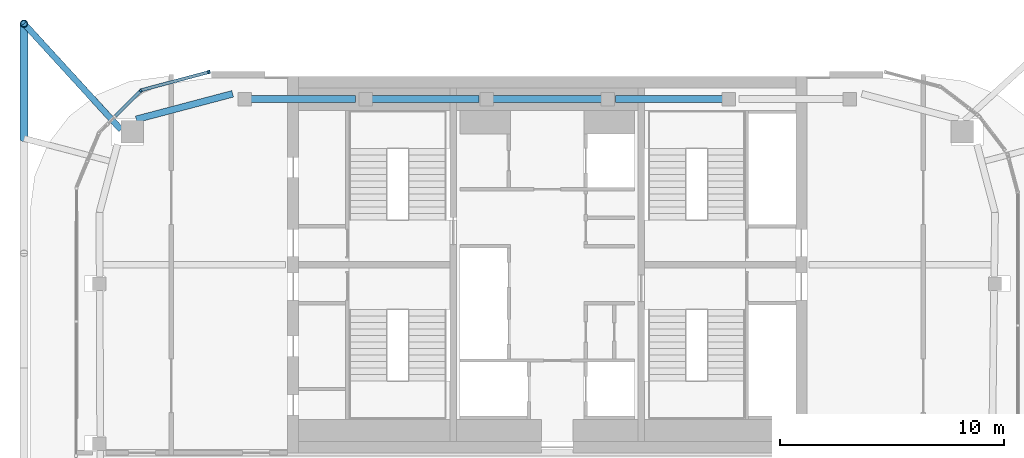
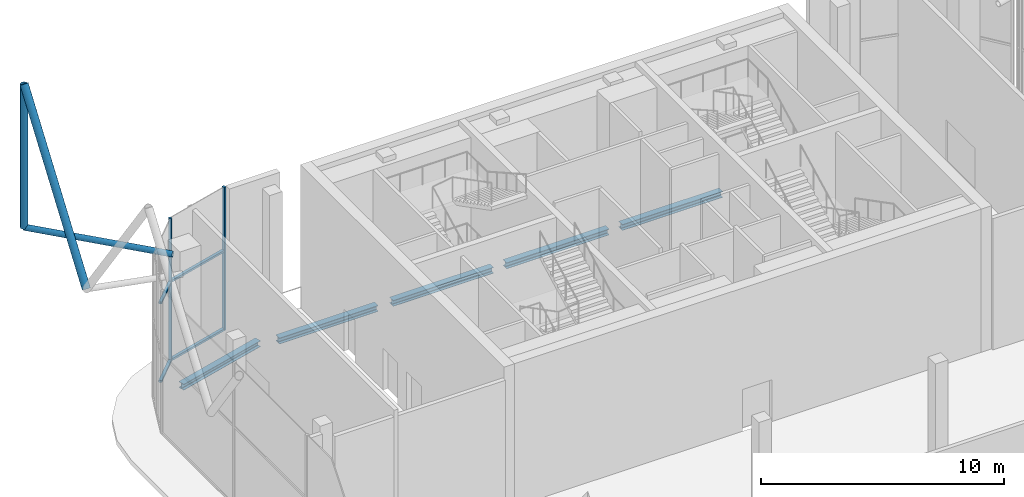
# One storey, part 7 of 25: 9 members, 5 beams, 2 elements without a shape of their own.
"""IFC4 building model written with IfcOpenShell, lengths in metres."""

from ifc_helpers import new_model, si_unit, direction, frame, origin, origin_2d, place, context, subcontext, project, spatial, rectangle, hollow_circle, i_section, extrude, material, layer, layer_set, material_profile, profile_set, type_object, element, aggregate, save


model = new_model("IFC4")

# Units and contexts
model_context = context("Model", 3, precision=1e-05, world=origin(), true_north=direction((0.0, 1.0)))
body_context = subcontext(model_context, "Body", "Model", "MODEL_VIEW")
ifc_project = project(units=[si_unit("LENGTHUNIT", "METRE"), si_unit("AREAUNIT", "SQUARE_METRE"), si_unit("VOLUMEUNIT", "CUBIC_METRE"), si_unit("PLANEANGLEUNIT", "RADIAN"), si_unit("MASSUNIT", "GRAM", prefix="KILO")], contexts=[model_context])

# Site, building, storey
site_placement = place(None, origin())
site = spatial("IfcSite", under=ifc_project, at=site_placement, CompositionType="ELEMENT")
building_placement = place(site_placement, origin())
building = spatial("IfcBuilding", under=site, at=building_placement, Name="Marenta Gate Hotel Tower", CompositionType="ELEMENT")
storey_placement = place(building_placement, frame((0.0, 0.0, 281.300048828125)))
storey = spatial("IfcBuildingStorey", under=building, at=storey_placement, Name="L65", CompositionType="ELEMENT", Elevation=281.300048828125)

# Members
ifc_material_1 = material(Name="Steel S355J2W", Category="steel")
ifc_material_profile_1 = material_profile(ifc_material_1, hollow_circle(Radius=0.161865234375, WallThickness=0.012451171875, at=origin_2d()), Name="CHS 323.9x12.5")
ifc_profile_set_1 = profile_set([ifc_material_profile_1], Name="Steel S355J2W")
member_type_1 = type_object("IfcMemberType", Name="Diagrid corner post C CHS 323.9x12.5", PredefinedType="POST", material=ifc_profile_set_1)
member_1_placement = place(storey_placement, frame((-23.3701171875, 19.169921875, 6.739990234375), z_axis=(0.0, 0.0, 1.0), x_axis=(1.0, 0.0, 0.0)))
element("IfcMember", 1, at=member_1_placement, inside=storey, type_object=member_type_1, Name="L65-DR-6", PredefinedType="POST", context=body_context, shape_type="SweptSolid", body=[
    extrude(hollow_circle(Radius=0.161865234375, WallThickness=0.012451171875, at=origin_2d()), origin(), (0.0, 0.0, 1.0), 7.199951171875),
])
ifc_material_2 = material(Name="Steel S355J2W", Category="steel")
ifc_material_profile_2 = material_profile(ifc_material_2, hollow_circle(Radius=0.177734375, WallThickness=0.01611328125, at=origin_2d()), Name="CHS 355.6x16")
ifc_profile_set_2 = profile_set([ifc_material_profile_2], Name="Steel S355J2W")
member_type_2 = type_object("IfcMemberType", Name="Diagrid diagonal C CHS 355.6x16", PredefinedType="BRACE", material=ifc_profile_set_2)
member_2_placement = place(storey_placement, frame((-23.3701171875, 14.040771484375, 6.739990234375), z_axis=(0.0, 0.580213650922, 0.81446431431), x_axis=(-1.0, 0.0, 0.0)))
element("IfcMember", 2, at=member_2_placement, inside=storey, type_object=member_type_2, Name="L65-DG-34", PredefinedType="BRACE", context=body_context, shape_type="SweptSolid", body=[
    extrude(hollow_circle(Radius=0.177734375, WallThickness=0.01611328125, at=origin_2d()), origin(), (0.0, 0.0, 1.0), 8.840087890625),
])

# Beams
ifc_material_3 = material(Name="Steel S355", Category="steel")
ifc_material_profile_3 = material_profile(ifc_material_3, i_section(OverallWidth=0.300048828125, OverallDepth=0.300048828125, WebThickness=0.010986328125, FlangeThickness=0.01904296875, FilletRadius=0.027099609375, at=origin_2d()), Name="HEB 300")
ifc_profile_set_3 = profile_set([ifc_material_profile_3], Name="Steel S355")
beam_type = type_object("IfcBeamType", Name="Edge beam HEB 300", PredefinedType="SPANDREL", material=ifc_profile_set_3)
beam_1_placement = place(storey_placement, frame((-18.35888671875, 14.89453125, -0.41015625), z_axis=(0.966775757737, 0.25562596553, 0.0), x_axis=(-0.25562596553, 0.966775757737, 0.0)))
element("IfcBeam", 3, at=beam_1_placement, inside=storey, type_object=beam_type, Name="L65-EB-12", PredefinedType="SPANDREL", context=body_context, shape_type="SweptSolid", body=[
    extrude(i_section(OverallWidth=0.300048828125, OverallDepth=0.300048828125, WebThickness=0.010986328125, FlangeThickness=0.01904296875, FilletRadius=0.027099609375, at=origin_2d()), origin(), (0.0, 0.0, 1.0), 4.455322265625),
])
beam_2_placement = place(storey_placement, frame((-13.246826171875, 15.800048828125, -0.41015625), z_axis=(1.0, 0.0, 0.0), x_axis=(0.0, 1.0, 0.0)))
element("IfcBeam", 4, at=beam_2_placement, inside=storey, type_object=beam_type, Name="L65-EB-13", PredefinedType="SPANDREL", context=body_context, shape_type="SweptSolid", body=[
    extrude(i_section(OverallWidth=0.300048828125, OverallDepth=0.300048828125, WebThickness=0.010986328125, FlangeThickness=0.01904296875, FilletRadius=0.027099609375, at=origin_2d()), origin(), (0.0, 0.0, 1.0), 4.692626953125),
])
beam_3_placement = place(storey_placement, frame((-7.843994140625, 15.800048828125, -0.41015625), z_axis=(1.0, 0.0, 0.0), x_axis=(0.0, 1.0, 0.0)))
element("IfcBeam", 5, at=beam_3_placement, inside=storey, type_object=beam_type, Name="L65-EB-14", PredefinedType="SPANDREL", context=body_context, shape_type="SweptSolid", body=[
    extrude(i_section(OverallWidth=0.300048828125, OverallDepth=0.300048828125, WebThickness=0.010986328125, FlangeThickness=0.01904296875, FilletRadius=0.027099609375, at=origin_2d()), origin(), (0.0, 0.0, 1.0), 4.785888671875),
])
beam_4_placement = place(storey_placement, frame((-2.43798828125, 15.800048828125, -0.41015625), z_axis=(1.0, 0.0, 0.0), x_axis=(0.0, 1.0, 0.0)))
element("IfcBeam", 6, at=beam_4_placement, inside=storey, type_object=beam_type, Name="L65-EB-15", PredefinedType="SPANDREL", context=body_context, shape_type="SweptSolid", body=[
    extrude(i_section(OverallWidth=0.300048828125, OverallDepth=0.300048828125, WebThickness=0.010986328125, FlangeThickness=0.01904296875, FilletRadius=0.027099609375, at=origin_2d()), origin(), (0.0, 0.0, 1.0), 4.8759765625),
])
beam_5_placement = place(storey_placement, frame((3.05810546875, 15.800048828125, -0.41015625), z_axis=(1.0, 0.0, 0.0), x_axis=(0.0, 1.0, 0.0)))
element("IfcBeam", 7, at=beam_5_placement, inside=storey, type_object=beam_type, Name="L65-EB-16", PredefinedType="SPANDREL", context=body_context, shape_type="SweptSolid", body=[
    extrude(i_section(OverallWidth=0.300048828125, OverallDepth=0.300048828125, WebThickness=0.010986328125, FlangeThickness=0.01904296875, FilletRadius=0.027099609375, at=origin_2d()), origin(), (0.0, 0.0, 1.0), 4.785888671875),
])

# Member
ifc_material_4 = material(Name="Steel S355J2W", Category="steel")
ifc_material_profile_4 = material_profile(ifc_material_4, hollow_circle(Radius=0.136474609375, WallThickness=0.012451171875, at=origin_2d()), Name="CHS 273x12.5")
ifc_profile_set_4 = profile_set([ifc_material_profile_4], Name="Steel S355J2W")
member_type_3 = type_object("IfcMemberType", Name="Floor tie CHS 273x12.5", PredefinedType="STRUT", material=ifc_profile_set_4)
member_3_placement = place(storey_placement, frame((-23.3701171875, 19.169921875, 6.739990234375), z_axis=(0.674971246683, -0.737844032402, 0.0), x_axis=(0.737844032402, 0.674971246683, 0.0)))
element("IfcMember", 8, at=member_3_placement, inside=storey, type_object=member_type_3, Name="L65-DR-22", PredefinedType="STRUT", context=body_context, shape_type="SweptSolid", body=[
    extrude(hollow_circle(Radius=0.136474609375, WallThickness=0.012451171875, at=origin_2d()), origin(), (0.0, 0.0, 1.0), 6.430419921875),
])

# Curtain wall, member
ifc_material_5 = material(Name="Tinted insulated glass in bronze anodised frame", Category="glass")
ifc_layer = layer(ifc_material_5, 0.139892578125)
ifc_layer_set = layer_set([ifc_layer], Name="Tinted insulated glass in bronze anodised frame")
curtain_wall_type = type_object("IfcCurtainWallType", Name="Observation deck structural glazing CW3", PredefinedType="NOTDEFINED", material=ifc_layer_set)
curtain_wall_1_placement = place(storey_placement, origin())
curtain_wall_1 = element("IfcCurtainWall", 9, at=curtain_wall_1_placement, inside=storey, type_object=curtain_wall_type, Name="CW3 run G00", PredefinedType="NOTDEFINED")
ifc_material_6 = material(Name="Bronze anodised aluminium", Category="aluminium")
ifc_material_profile_5 = material_profile(ifc_material_6, rectangle(XDim=0.139892578125, YDim=0.10009765625, at=origin_2d()), Name="Mullion CW3 100x140 bronze anodised aluminium")
ifc_profile_set_5 = profile_set([ifc_material_profile_5], Name="Bronze anodised aluminium")
member_type_4 = type_object("IfcMemberType", Name="Mullion CW3 100x140 bronze anodised aluminium", PredefinedType="MULLION", material=ifc_profile_set_5)
member_4_placement = place(storey_placement, frame((-15.107421875, 17.0078125, 0.0), z_axis=(0.0, 0.0, 1.0), x_axis=(0.258802375884, -0.965930292638, 0.0)))
member_4 = element("IfcMember", 10, at=member_4_placement, type_object=member_type_4, Name="CW3 mullion 1", PredefinedType="MULLION", context=body_context, shape_type="SweptSolid", body=[
    extrude(rectangle(XDim=0.139892578125, YDim=0.10009765625, at=origin_2d()), origin(), (0.0, 0.0, 1.0), 7.199951171875),
])

curtain_wall_2_placement = place(storey_placement, origin())
curtain_wall_2 = element("IfcCurtainWall", 11, at=curtain_wall_2_placement, inside=storey, type_object=curtain_wall_type, Name="CW3 run G01", PredefinedType="NOTDEFINED")
member_5_placement = place(storey_placement, frame((-18.153564453125, 16.165771484375, 0.0), z_axis=(0.0, 0.0, 1.0), x_axis=(0.707137150626, -0.707076410443, 0.0)))
member_5 = element("IfcMember", 12, at=member_5_placement, type_object=member_type_4, Name="CW3 mullion 1", PredefinedType="MULLION", context=body_context, shape_type="SweptSolid", body=[
    extrude(rectangle(XDim=0.139892578125, YDim=0.10009765625, at=origin_2d()), origin(), (0.0, 0.0, 1.0), 7.199951171875),
])

# Member
ifc_material_7 = material(Name="Bronze anodised aluminium", Category="aluminium")
ifc_material_profile_6 = material_profile(ifc_material_7, rectangle(XDim=0.139892578125, YDim=0.10009765625, at=origin_2d()), Name="Transom CW3 100x140 bronze anodised aluminium")
ifc_profile_set_6 = profile_set([ifc_material_profile_6], Name="Bronze anodised aluminium")
member_type_5 = type_object("IfcMemberType", Name="Transom CW3 100x140 bronze anodised aluminium", PredefinedType="USERDEFINED", material=ifc_profile_set_6)
member_6_placement = place(storey_placement, frame((-15.15576171875, 16.994873046875, 0.050048828125), z_axis=(-0.965931706906, -0.258797097342, 0.0), x_axis=(0.258797097342, -0.965931706906, 0.0)))
member_6 = element("IfcMember", 13, at=member_6_placement, type_object=member_type_5, Name="CW3 transom 1.1", ObjectType="TRANSOM", PredefinedType="USERDEFINED", context=body_context, shape_type="SweptSolid", body=[
    extrude(rectangle(XDim=0.139892578125, YDim=0.10009765625, at=origin_2d()), origin(), (0.0, 0.0, 1.0), 3.06689453125),
])

member_7_placement = place(storey_placement, frame((-15.15576171875, 16.994873046875, 4.0), z_axis=(-0.965931706906, -0.258797097342, 0.0), x_axis=(0.258797097342, -0.965931706906, 0.0)))
member_7 = element("IfcMember", 14, at=member_7_placement, type_object=member_type_5, Name="CW3 transom 1.2", ObjectType="TRANSOM", PredefinedType="USERDEFINED", context=body_context, shape_type="SweptSolid", body=[
    extrude(rectangle(XDim=0.139892578125, YDim=0.10009765625, at=origin_2d()), origin(), (0.0, 0.0, 1.0), 3.06689453125),
])

aggregate(curtain_wall_1, [member_4, member_6, member_7])

member_8_placement = place(storey_placement, frame((-18.188720703125, 16.13037109375, 0.050048828125), z_axis=(-0.707106781187, -0.707106781187, 0.0), x_axis=(0.707106781187, -0.707106781187, 0.0)))
member_8 = element("IfcMember", 15, at=member_8_placement, type_object=member_type_5, Name="CW3 transom 1.1", ObjectType="TRANSOM", PredefinedType="USERDEFINED", context=body_context, shape_type="SweptSolid", body=[
    extrude(rectangle(XDim=0.139892578125, YDim=0.10009765625, at=origin_2d()), origin(), (0.0, 0.0, 1.0), 1.54638671875),
])

member_9_placement = place(storey_placement, frame((-18.188720703125, 16.13037109375, 4.0), z_axis=(-0.707106781187, -0.707106781187, 0.0), x_axis=(0.707106781187, -0.707106781187, 0.0)))
member_9 = element("IfcMember", 16, at=member_9_placement, type_object=member_type_5, Name="CW3 transom 1.2", ObjectType="TRANSOM", PredefinedType="USERDEFINED", context=body_context, shape_type="SweptSolid", body=[
    extrude(rectangle(XDim=0.139892578125, YDim=0.10009765625, at=origin_2d()), origin(), (0.0, 0.0, 1.0), 1.54638671875),
])

aggregate(curtain_wall_2, [member_5, member_8, member_9])

save(model, "model.ifc")
